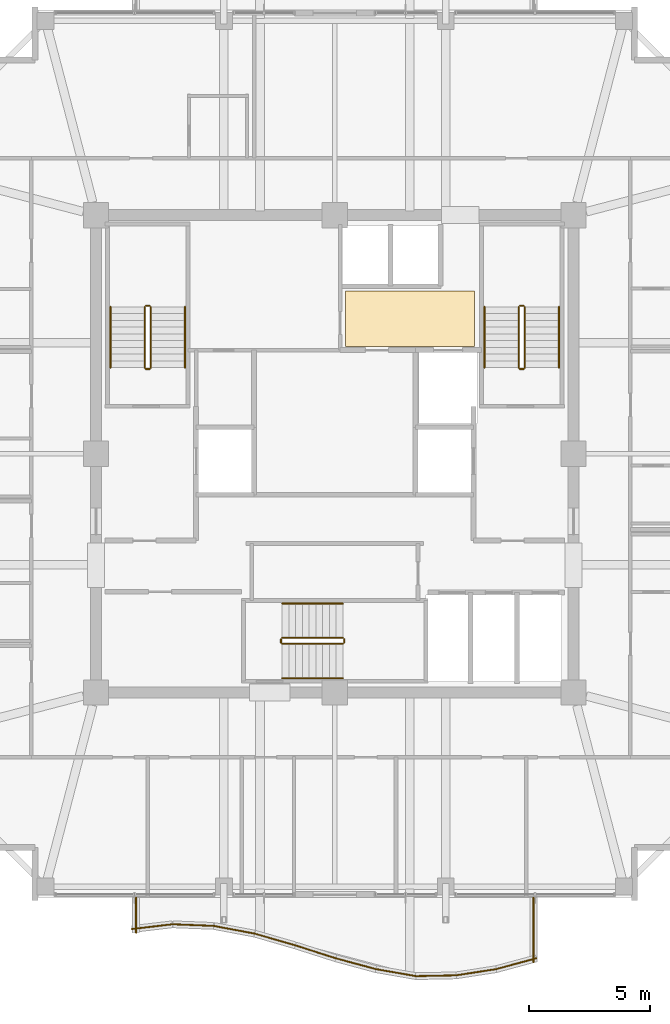
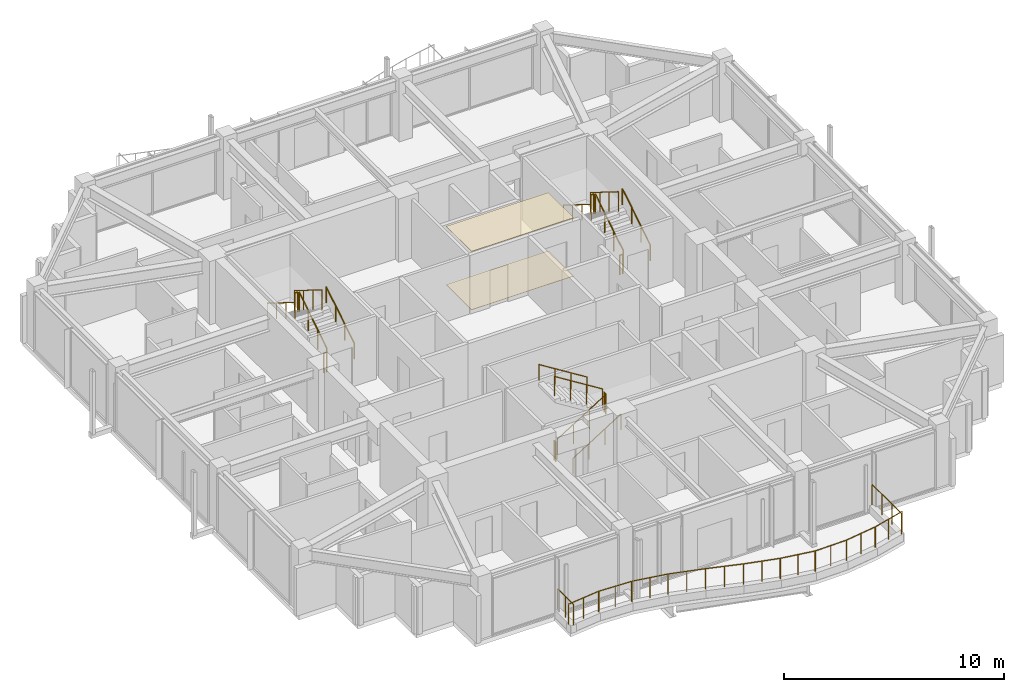
# One storey, part 30 of 31: 30 railings, 2 coverings.
"""IFC4 building model written with IfcOpenShell, lengths in metres."""

from ifc_helpers import new_model, si_unit, direction, frame, origin, origin_2d, place, context, subcontext, project, spatial, polyline, circle, outline, extrude, material, layer, layer_set, type_object, element, save


model = new_model("IFC4")

# Units and contexts
model_context = context("Model", 3, precision=1e-05, world=origin(), true_north=direction((0.0, 1.0)))
body_context = subcontext(model_context, "Body", "Model", "MODEL_VIEW")
ifc_project = project(units=[si_unit("LENGTHUNIT", "METRE"), si_unit("AREAUNIT", "SQUARE_METRE"), si_unit("VOLUMEUNIT", "CUBIC_METRE"), si_unit("PLANEANGLEUNIT", "RADIAN"), si_unit("MASSUNIT", "GRAM", prefix="KILO")], contexts=[model_context])

# Site, building, storey
site_placement = place(None, origin())
site = spatial("IfcSite", under=ifc_project, at=site_placement, CompositionType="ELEMENT")
building_placement = place(site_placement, origin())
building = spatial("IfcBuilding", under=site, at=building_placement, Name="Kolvaren Belvedere", CompositionType="ELEMENT")
storey_placement = place(building_placement, frame((0.0, 0.0, 247.89990234375)))
storey = spatial("IfcBuildingStorey", under=building, at=storey_placement, Name="L72", CompositionType="ELEMENT", Elevation=247.89990234375)

# Coverings
ifc_material_1 = material(Name="Acoustic perforated gypsum board", Category="gypsum")
ifc_layer_1 = layer(ifc_material_1, 0.02490234375)
ifc_layer_set_1 = layer_set([ifc_layer_1], Name="Acoustic perforated gypsum board")
covering_type_1 = type_object("IfcCoveringType", Name="COV-CEIL-GYP", PredefinedType="CEILING", material=ifc_layer_set_1)
covering_1_placement = place(storey_placement, frame((0.0, 0.0, 3.22509765625)))
element("IfcCovering", 1, at=covering_1_placement, inside=storey, type_object=covering_type_1, Name="L72 Lift Lobby Acoustic Baffle Ceiling", PredefinedType="CEILING", context=body_context, shape_type="SweptSolid", body=[
    extrude(outline(polyline([(0.449951171875, 4.449951171875), (5.800048828125, 4.449951171875), (5.800048828125, 6.75), (0.449951171875, 6.75), (0.449951171875, 4.449951171875)])), origin(), (0.0, 0.0, 1.0), 0.02490234375),
])
ifc_material_2 = material(Name="Engineered Pacific white oak", Category="timber")
ifc_layer_2 = layer(ifc_material_2, 0.02001953125)
ifc_layer_set_2 = layer_set([ifc_layer_2], Name="Engineered Pacific white oak")
covering_type_2 = type_object("IfcCoveringType", Name="COV-FLR-OAK", PredefinedType="FLOORING", material=ifc_layer_set_2)
covering_2_placement = place(storey_placement, origin())
element("IfcCovering", 2, at=covering_2_placement, inside=storey, type_object=covering_type_2, Name="L72 Lift Lobby Finish Flooring", PredefinedType="FLOORING", context=body_context, shape_type="SweptSolid", body=[
    extrude(outline(polyline([(0.449951171875, 4.449951171875), (5.800048828125, 4.449951171875), (5.800048828125, 6.75), (0.449951171875, 6.75), (0.449951171875, 4.449951171875)])), origin(), (0.0, 0.0, 1.0), 0.02001953125),
])

# Railings
ifc_material_3 = material(Name="Anodised pale-metal aluminium & laminated glass guard", Category="aluminium")
railing_type_1 = type_object("IfcRailingType", Name="RL-GUARD-1150", PredefinedType="GUARDRAIL", material=ifc_material_3)
railing_1_placement = place(storey_placement, frame((-8.418701171875, -19.70751953125, 0.35009765625)))
element("IfcRailing", 3, at=railing_1_placement, inside=storey, type_object=railing_type_1, Name="L72 Exterior Deck Safety Guard BAL-S-1", PredefinedType="GUARDRAIL", context=body_context, shape_type="SweptSolid", body=[
    extrude(circle(Radius=0.02392578125, at=origin_2d()), frame((0.0, 0.0, 1.1259765625), z_axis=(0.993125952783, 0.11705059551, 0.0), x_axis=(-0.11705059551, 0.993125952783, 0.0)), (0.0, 0.0, 1.0), 1.691650390625),
    extrude(circle(Radius=0.02099609375, at=origin_2d()), origin(), (0.0, 0.0, 1.0), 1.101806640625),
    extrude(circle(Radius=0.02099609375, at=origin_2d()), frame((0.83984375, 0.09912109375, 0.0)), (0.0, 0.0, 1.0), 1.101806640625),
    extrude(circle(Radius=0.02099609375, at=origin_2d()), frame((1.679931640625, 0.197998046875, 0.0)), (0.0, 0.0, 1.0), 1.101806640625),
])
railing_2_placement = place(storey_placement, frame((-6.713623046875, -19.508544921875, 0.35009765625)))
element("IfcRailing", 4, at=railing_2_placement, inside=storey, type_object=railing_type_1, Name="L72 Exterior Deck Safety Guard BAL-S-2", PredefinedType="GUARDRAIL", context=body_context, shape_type="SweptSolid", body=[
    extrude(circle(Radius=0.02392578125, at=origin_2d()), frame((0.0, 0.0, 1.1259765625), z_axis=(0.999196545286, -0.040078222133, 0.0), x_axis=(0.040078222133, 0.999196545286, 0.0)), (0.0, 0.0, 1.0), 1.681396484375),
    extrude(circle(Radius=0.02099609375, at=origin_2d()), origin(), (0.0, 0.0, 1.0), 1.101806640625),
    extrude(circle(Radius=0.02099609375, at=origin_2d()), frame((0.83984375, -0.03369140625, 0.0)), (0.0, 0.0, 1.0), 1.101806640625),
    extrude(circle(Radius=0.02099609375, at=origin_2d()), frame((1.679931640625, -0.0673828125, 0.0)), (0.0, 0.0, 1.0), 1.101806640625),
])
railing_3_placement = place(storey_placement, frame((-5.010498046875, -19.57861328125, 0.35009765625)))
element("IfcRailing", 5, at=railing_3_placement, inside=storey, type_object=railing_type_1, Name="L72 Exterior Deck Safety Guard BAL-S-3", PredefinedType="GUARDRAIL", context=body_context, shape_type="SweptSolid", body=[
    extrude(circle(Radius=0.02392578125, at=origin_2d()), frame((0.0, 0.0, 1.1259765625), z_axis=(0.982804219087, -0.184650661912, 0.0), x_axis=(0.184650661912, 0.982804219087, 0.0)), (0.0, 0.0, 1.0), 1.70947265625),
    extrude(circle(Radius=0.02099609375, at=origin_2d()), origin(), (0.0, 0.0, 1.0), 1.101806640625),
    extrude(circle(Radius=0.02099609375, at=origin_2d()), frame((0.840087890625, -0.15771484375, 0.0)), (0.0, 0.0, 1.0), 1.101806640625),
    extrude(circle(Radius=0.02099609375, at=origin_2d()), frame((1.68017578125, -0.315673828125, 0.0)), (0.0, 0.0, 1.0), 1.101806640625),
])
railing_4_placement = place(storey_placement, frame((-3.3154296875, -19.89794921875, 0.35009765625)))
element("IfcRailing", 6, at=railing_4_placement, inside=storey, type_object=railing_type_1, Name="L72 Exterior Deck Safety Guard BAL-S-4", PredefinedType="GUARDRAIL", context=body_context, shape_type="SweptSolid", body=[
    extrude(circle(Radius=0.02392578125, at=origin_2d()), frame((0.0, 0.0, 1.1259765625), z_axis=(0.960633903819, -0.277817391164, 0.0), x_axis=(0.277817391164, 0.960633903819, 0.0)), (0.0, 0.0, 1.0), 1.748779296875),
    extrude(circle(Radius=0.02099609375, at=origin_2d()), origin(), (0.0, 0.0, 1.0), 1.101806640625),
    extrude(circle(Radius=0.02099609375, at=origin_2d()), frame((0.83984375, -0.242919921875, 0.0)), (0.0, 0.0, 1.0), 1.101806640625),
    extrude(circle(Radius=0.02099609375, at=origin_2d()), frame((1.679931640625, -0.48583984375, 0.0)), (0.0, 0.0, 1.0), 1.101806640625),
])
railing_5_placement = place(storey_placement, frame((-1.63134765625, -20.38525390625, 0.35009765625)))
element("IfcRailing", 7, at=railing_5_placement, inside=storey, type_object=railing_type_1, Name="L72 Exterior Deck Safety Guard BAL-S-5", PredefinedType="GUARDRAIL", context=body_context, shape_type="SweptSolid", body=[
    extrude(circle(Radius=0.02392578125, at=origin_2d()), frame((0.0, 0.0, 1.1259765625), z_axis=(0.952661770826, -0.304032153573, 0.0), x_axis=(0.304032153573, 0.952661770826, 0.0)), (0.0, 0.0, 1.0), 1.763427734375),
    extrude(circle(Radius=0.02099609375, at=origin_2d()), origin(), (0.0, 0.0, 1.0), 1.101806640625),
    extrude(circle(Radius=0.02099609375, at=origin_2d()), frame((0.83984375, -0.26806640625, 0.0)), (0.0, 0.0, 1.0), 1.101806640625),
    extrude(circle(Radius=0.02099609375, at=origin_2d()), frame((1.679931640625, -0.5361328125, 0.0)), (0.0, 0.0, 1.0), 1.101806640625),
])
railing_6_placement = place(storey_placement, frame((0.041748046875, -20.919189453125, 0.35009765625)))
element("IfcRailing", 8, at=railing_6_placement, inside=storey, type_object=railing_type_1, Name="L72 Exterior Deck Safety Guard BAL-S-6", PredefinedType="GUARDRAIL", context=body_context, shape_type="SweptSolid", body=[
    extrude(circle(Radius=0.02392578125, at=origin_2d()), frame((0.0, 0.0, 1.1259765625), z_axis=(0.965424492388, -0.260682852326, 0.0), x_axis=(0.260682852326, 0.965424492388, 0.0)), (0.0, 0.0, 1.0), 1.739990234375),
    extrude(circle(Radius=0.02099609375, at=origin_2d()), origin(), (0.0, 0.0, 1.0), 1.101806640625),
    extrude(circle(Radius=0.02099609375, at=origin_2d()), frame((0.83984375, -0.226806640625, 0.0)), (0.0, 0.0, 1.0), 1.101806640625),
    extrude(circle(Radius=0.02099609375, at=origin_2d()), frame((1.679931640625, -0.45361328125, 0.0)), (0.0, 0.0, 1.0), 1.101806640625),
])
railing_7_placement = place(storey_placement, frame((1.70751953125, -21.36962890625, 0.35009765625)))
element("IfcRailing", 9, at=railing_7_placement, inside=storey, type_object=railing_type_1, Name="L72 Exterior Deck Safety Guard BAL-S-7", PredefinedType="GUARDRAIL", context=body_context, shape_type="SweptSolid", body=[
    extrude(circle(Radius=0.02392578125, at=origin_2d()), frame((0.0, 0.0, 1.1259765625), z_axis=(0.985156010777, -0.171661394699, 0.0), x_axis=(0.171661394699, 0.985156010777, 0.0)), (0.0, 0.0, 1.0), 1.705322265625),
    extrude(circle(Radius=0.02099609375, at=origin_2d()), origin(), (0.0, 0.0, 1.0), 1.101806640625),
    extrude(circle(Radius=0.02099609375, at=origin_2d()), frame((0.83984375, -0.146484375, 0.0)), (0.0, 0.0, 1.0), 1.101806640625),
    extrude(circle(Radius=0.02099609375, at=origin_2d()), frame((1.679931640625, -0.292724609375, 0.0)), (0.0, 0.0, 1.0), 1.101806640625),
])
railing_8_placement = place(storey_placement, frame((3.356689453125, -21.659912109375, 0.35009765625)))
element("IfcRailing", 10, at=railing_8_placement, inside=storey, type_object=railing_type_1, Name="L72 Exterior Deck Safety Guard BAL-S-8", PredefinedType="GUARDRAIL", context=body_context, shape_type="SweptSolid", body=[
    extrude(circle(Radius=0.02392578125, at=origin_2d()), frame((0.0, 0.0, 1.1259765625), z_axis=(0.999799013034, 0.020048280122, 0.0), x_axis=(-0.020048280122, 0.999799013034, 0.0)), (0.0, 0.0, 1.0), 1.680419921875),
    extrude(circle(Radius=0.02099609375, at=origin_2d()), origin(), (0.0, 0.0, 1.0), 1.101806640625),
    extrude(circle(Radius=0.02099609375, at=origin_2d()), frame((0.840087890625, 0.016845703125, 0.0)), (0.0, 0.0, 1.0), 1.101806640625),
    extrude(circle(Radius=0.02099609375, at=origin_2d()), frame((1.68017578125, 0.03369140625, 0.0)), (0.0, 0.0, 1.0), 1.101806640625),
])
railing_9_placement = place(storey_placement, frame((5.015625, -21.6279296875, 0.35009765625)))
element("IfcRailing", 11, at=railing_9_placement, inside=storey, type_object=railing_type_1, Name="L72 Exterior Deck Safety Guard BAL-S-9", PredefinedType="GUARDRAIL", context=body_context, shape_type="SweptSolid", body=[
    extrude(circle(Radius=0.02392578125, at=origin_2d()), frame((0.0, 0.0, 1.1259765625), z_axis=(0.988341789514, 0.152251460091, 0.0), x_axis=(-0.152251460091, 0.988341789514, 0.0)), (0.0, 0.0, 1.0), 1.69970703125),
    extrude(circle(Radius=0.02099609375, at=origin_2d()), origin(), (0.0, 0.0, 1.0), 1.101806640625),
    extrude(circle(Radius=0.02099609375, at=origin_2d()), frame((0.83984375, 0.12939453125, 0.0)), (0.0, 0.0, 1.0), 1.101806640625),
    extrude(circle(Radius=0.02099609375, at=origin_2d()), frame((1.679931640625, 0.2587890625, 0.0)), (0.0, 0.0, 1.0), 1.101806640625),
])
railing_10_placement = place(storey_placement, frame((6.67822265625, -21.372802734375, 0.35009765625)))
element("IfcRailing", 12, at=railing_10_placement, inside=storey, type_object=railing_type_1, Name="L72 Exterior Deck Safety Guard BAL-S-10", PredefinedType="GUARDRAIL", context=body_context, shape_type="SweptSolid", body=[
    extrude(circle(Radius=0.02392578125, at=origin_2d()), frame((0.0, 0.0, 1.1259765625), z_axis=(0.965434024814, 0.260647546949, 0.0), x_axis=(-0.260647546949, 0.965434024814, 0.0)), (0.0, 0.0, 1.0), 1.740234375),
    extrude(circle(Radius=0.02099609375, at=origin_2d()), origin(), (0.0, 0.0, 1.0), 1.101806640625),
    extrude(circle(Radius=0.02099609375, at=origin_2d()), frame((0.840087890625, 0.226806640625, 0.0)), (0.0, 0.0, 1.0), 1.101806640625),
    extrude(circle(Radius=0.02099609375, at=origin_2d()), frame((1.68017578125, 0.45361328125, 0.0)), (0.0, 0.0, 1.0), 1.101806640625),
])
railing_11_placement = place(storey_placement, frame((8.239990234375, -21.07373046875, 0.35009765625)))
element("IfcRailing", 13, at=railing_11_placement, inside=storey, type_object=railing_type_1, Name="L72 Exterior Deck Safety Guard BAL-S-11", PredefinedType="GUARDRAIL", context=body_context, shape_type="SweptSolid", body=[
    extrude(circle(Radius=0.02392578125, at=origin_2d()), frame((0.0, 0.0, 1.1259765625), z_axis=(0.0, 1.0, 0.0), x_axis=(-1.0, 0.0, 0.0)), (0.0, 0.0, 1.0), 2.673828125),
    extrude(circle(Radius=0.02099609375, at=origin_2d()), origin(), (0.0, 0.0, 1.0), 1.101806640625),
    extrude(circle(Radius=0.02099609375, at=origin_2d()), frame((0.0, 0.891357421875, 0.0)), (0.0, 0.0, 1.0), 1.101806640625),
    extrude(circle(Radius=0.02099609375, at=origin_2d()), frame((0.0, 1.782470703125, 0.0)), (0.0, 0.0, 1.0), 1.101806640625),
    extrude(circle(Radius=0.02099609375, at=origin_2d()), frame((0.0, 2.673828125, 0.0)), (0.0, 0.0, 1.0), 1.101806640625),
])
railing_12_placement = place(storey_placement, frame((-8.239990234375, -18.39990234375, 0.35009765625)))
element("IfcRailing", 14, at=railing_12_placement, inside=storey, type_object=railing_type_1, Name="L72 Exterior Deck Safety Guard BAL-S-22", PredefinedType="GUARDRAIL", context=body_context, shape_type="SweptSolid", body=[
    extrude(circle(Radius=0.02392578125, at=origin_2d()), frame((0.0, 0.0, 1.1259765625), z_axis=(0.0, -1.0, 0.0), x_axis=(1.0, 0.0, 0.0)), (0.0, 0.0, 1.0), 1.46630859375),
    extrude(circle(Radius=0.02099609375, at=origin_2d()), origin(), (0.0, 0.0, 1.0), 1.101806640625),
    extrude(circle(Radius=0.02099609375, at=origin_2d()), frame((0.0, -0.733154296875, 0.0)), (0.0, 0.0, 1.0), 1.101806640625),
    extrude(circle(Radius=0.02099609375, at=origin_2d()), frame((0.0, -1.46630859375, 0.0)), (0.0, 0.0, 1.0), 1.101806640625),
])
ifc_material_4 = material(Name="Brushed stainless-steel handrail", Category="steel")
railing_type_2 = type_object("IfcRailingType", Name="RL-HANDRAIL-920", PredefinedType="HANDRAIL", material=ifc_material_4)
railing_13_placement = place(storey_placement, frame((-6.2099609375, 3.570068359375, 0.175048828125)))
element("IfcRailing", 15, at=railing_13_placement, inside=storey, type_object=railing_type_2, Name="L72 ST-1 stair handrail 1", PredefinedType="HANDRAIL", context=body_context, shape_type="SweptSolid", body=[
    extrude(circle(Radius=0.02392578125, at=origin_2d()), frame((0.0, 0.0, 0.8759765625), z_axis=(0.0, 0.848007534815, 0.529984170421), x_axis=(-1.0, 0.0, 0.0)), (0.0, 0.0, 1.0), 2.9716796875),
    extrude(circle(Radius=0.02099609375, at=origin_2d()), origin(), (0.0, 0.0, 1.0), 0.851806640625),
    extrude(circle(Radius=0.02099609375, at=origin_2d()), frame((0.0, 0.840087890625, 0.52490234375)), (0.0, 0.0, 1.0), 0.851806640625),
    extrude(circle(Radius=0.02099609375, at=origin_2d()), frame((0.0, 1.679931640625, 1.050048828125)), (0.0, 0.0, 1.0), 0.851806640625),
    extrude(circle(Radius=0.02099609375, at=origin_2d()), frame((0.0, 2.52001953125, 1.574951171875)), (0.0, 0.0, 1.0), 0.851806640625),
])
railing_14_placement = place(storey_placement, frame((-9.300048828125, 6.090087890625, 1.925048828125)))
element("IfcRailing", 16, at=railing_14_placement, inside=storey, type_object=railing_type_2, Name="L72 ST-1 stair handrail 2", PredefinedType="HANDRAIL", context=body_context, shape_type="SweptSolid", body=[
    extrude(circle(Radius=0.02392578125, at=origin_2d()), frame((0.0, 0.0, 0.8759765625), z_axis=(0.0, -0.848007534815, 0.529984170421), x_axis=(1.0, 0.0, 0.0)), (0.0, 0.0, 1.0), 2.9716796875),
    extrude(circle(Radius=0.02099609375, at=origin_2d()), origin(), (0.0, 0.0, 1.0), 0.851806640625),
    extrude(circle(Radius=0.02099609375, at=origin_2d()), frame((0.0, -0.840087890625, 0.52490234375)), (0.0, 0.0, 1.0), 0.851806640625),
    extrude(circle(Radius=0.02099609375, at=origin_2d()), frame((0.0, -1.679931640625, 1.050048828125)), (0.0, 0.0, 1.0), 0.851806640625),
    extrude(circle(Radius=0.02099609375, at=origin_2d()), frame((0.0, -2.52001953125, 1.574951171875)), (0.0, 0.0, 1.0), 0.851806640625),
])
railing_15_placement = place(storey_placement, frame((9.300048828125, 3.570068359375, 0.175048828125)))
element("IfcRailing", 17, at=railing_15_placement, inside=storey, type_object=railing_type_2, Name="L72 ST-2 stair handrail 1", PredefinedType="HANDRAIL", context=body_context, shape_type="SweptSolid", body=[
    extrude(circle(Radius=0.02392578125, at=origin_2d()), frame((0.0, 0.0, 0.8759765625), z_axis=(0.0, 0.848007534815, 0.529984170421), x_axis=(-1.0, 0.0, 0.0)), (0.0, 0.0, 1.0), 2.9716796875),
    extrude(circle(Radius=0.02099609375, at=origin_2d()), origin(), (0.0, 0.0, 1.0), 0.851806640625),
    extrude(circle(Radius=0.02099609375, at=origin_2d()), frame((0.0, 0.840087890625, 0.52490234375)), (0.0, 0.0, 1.0), 0.851806640625),
    extrude(circle(Radius=0.02099609375, at=origin_2d()), frame((0.0, 1.679931640625, 1.050048828125)), (0.0, 0.0, 1.0), 0.851806640625),
    extrude(circle(Radius=0.02099609375, at=origin_2d()), frame((0.0, 2.52001953125, 1.574951171875)), (0.0, 0.0, 1.0), 0.851806640625),
])
railing_16_placement = place(storey_placement, frame((6.2099609375, 6.090087890625, 1.925048828125)))
element("IfcRailing", 18, at=railing_16_placement, inside=storey, type_object=railing_type_2, Name="L72 ST-2 stair handrail 2", PredefinedType="HANDRAIL", context=body_context, shape_type="SweptSolid", body=[
    extrude(circle(Radius=0.02392578125, at=origin_2d()), frame((0.0, 0.0, 0.8759765625), z_axis=(0.0, -0.848007534815, 0.529984170421), x_axis=(1.0, 0.0, 0.0)), (0.0, 0.0, 1.0), 2.9716796875),
    extrude(circle(Radius=0.02099609375, at=origin_2d()), origin(), (0.0, 0.0, 1.0), 0.851806640625),
    extrude(circle(Radius=0.02099609375, at=origin_2d()), frame((0.0, -0.840087890625, 0.52490234375)), (0.0, 0.0, 1.0), 0.851806640625),
    extrude(circle(Radius=0.02099609375, at=origin_2d()), frame((0.0, -1.679931640625, 1.050048828125)), (0.0, 0.0, 1.0), 0.851806640625),
    extrude(circle(Radius=0.02099609375, at=origin_2d()), frame((0.0, -2.52001953125, 1.574951171875)), (0.0, 0.0, 1.0), 0.851806640625),
])
railing_17_placement = place(storey_placement, frame((-2.179931640625, -9.300048828125, 0.175048828125)))
element("IfcRailing", 19, at=railing_17_placement, inside=storey, type_object=railing_type_2, Name="L72 ST-3 stair handrail 1", PredefinedType="HANDRAIL", context=body_context, shape_type="SweptSolid", body=[
    extrude(circle(Radius=0.02392578125, at=origin_2d()), frame((0.0, 0.0, 0.8759765625), z_axis=(0.848007534815, 0.0, 0.529984170421), x_axis=(0.0, 1.0, 0.0)), (0.0, 0.0, 1.0), 2.9716796875),
    extrude(circle(Radius=0.02099609375, at=origin_2d()), origin(), (0.0, 0.0, 1.0), 0.851806640625),
    extrude(circle(Radius=0.02099609375, at=origin_2d()), frame((0.840087890625, 0.0, 0.52490234375)), (0.0, 0.0, 1.0), 0.851806640625),
    extrude(circle(Radius=0.02099609375, at=origin_2d()), frame((1.679931640625, 0.0, 1.050048828125)), (0.0, 0.0, 1.0), 0.851806640625),
    extrude(circle(Radius=0.02099609375, at=origin_2d()), frame((2.52001953125, 0.0, 1.574951171875)), (0.0, 0.0, 1.0), 0.851806640625),
])
railing_18_placement = place(storey_placement, frame((0.340087890625, -6.2099609375, 1.925048828125)))
element("IfcRailing", 20, at=railing_18_placement, inside=storey, type_object=railing_type_2, Name="L72 ST-3 stair handrail 2", PredefinedType="HANDRAIL", context=body_context, shape_type="SweptSolid", body=[
    extrude(circle(Radius=0.02392578125, at=origin_2d()), frame((0.0, 0.0, 0.8759765625), z_axis=(-0.848007534815, 0.0, 0.529984170421), x_axis=(0.0, -1.0, 0.0)), (0.0, 0.0, 1.0), 2.9716796875),
    extrude(circle(Radius=0.02099609375, at=origin_2d()), origin(), (0.0, 0.0, 1.0), 0.851806640625),
    extrude(circle(Radius=0.02099609375, at=origin_2d()), frame((-0.840087890625, 0.0, 0.52490234375)), (0.0, 0.0, 1.0), 0.851806640625),
    extrude(circle(Radius=0.02099609375, at=origin_2d()), frame((-1.679931640625, 0.0, 1.050048828125)), (0.0, 0.0, 1.0), 0.851806640625),
    extrude(circle(Radius=0.02099609375, at=origin_2d()), frame((-2.52001953125, 0.0, 1.574951171875)), (0.0, 0.0, 1.0), 0.851806640625),
])
ifc_material_5 = material(Name="Painted tubular steel stair guard", Category="steel")
railing_type_3 = type_object("IfcRailingType", Name="RL-STGUARD-1100", PredefinedType="GUARDRAIL", material=ifc_material_5)
railing_19_placement = place(storey_placement, frame((-7.6298828125, 3.570068359375, 0.175048828125)))
element("IfcRailing", 21, at=railing_19_placement, inside=storey, type_object=railing_type_3, Name="L72 ST-1 stair guard 1", PredefinedType="GUARDRAIL", context=body_context, shape_type="SweptSolid", body=[
    extrude(circle(Radius=0.02392578125, at=origin_2d()), frame((0.0, 0.0, 1.076171875), z_axis=(0.0, 0.848007534815, 0.529984170421), x_axis=(-1.0, 0.0, 0.0)), (0.0, 0.0, 1.0), 2.9716796875),
    extrude(circle(Radius=0.02099609375, at=origin_2d()), origin(), (0.0, 0.0, 1.0), 1.052001953125),
    extrude(circle(Radius=0.02099609375, at=origin_2d()), frame((0.0, 0.840087890625, 0.52490234375)), (0.0, 0.0, 1.0), 1.052001953125),
    extrude(circle(Radius=0.02099609375, at=origin_2d()), frame((0.0, 1.679931640625, 1.050048828125)), (0.0, 0.0, 1.0), 1.052001953125),
    extrude(circle(Radius=0.02099609375, at=origin_2d()), frame((0.0, 2.52001953125, 1.574951171875)), (0.0, 0.0, 1.0), 1.052001953125),
])
railing_20_placement = place(storey_placement, frame((-7.679931640625, 6.139892578125, 1.75)))
element("IfcRailing", 22, at=railing_20_placement, inside=storey, type_object=railing_type_3, Name="L72 ST-1 stair guard 2", PredefinedType="GUARDRAIL", context=body_context, shape_type="SweptSolid", body=[
    extrude(circle(Radius=0.02392578125, at=origin_2d()), frame((0.0, 0.0, 1.076171875), z_axis=(-1.0, 0.0, 0.0), x_axis=(0.0, -1.0, 0.0)), (0.0, 0.0, 1.0), 0.150146484375),
    extrude(circle(Radius=0.02099609375, at=origin_2d()), origin(), (0.0, 0.0, 1.0), 1.052001953125),
    extrude(circle(Radius=0.02099609375, at=origin_2d()), frame((-0.150146484375, 0.0, 0.0)), (0.0, 0.0, 1.0), 1.052001953125),
])
railing_21_placement = place(storey_placement, frame((-7.8798828125, 6.090087890625, 1.925048828125)))
element("IfcRailing", 23, at=railing_21_placement, inside=storey, type_object=railing_type_3, Name="L72 ST-1 stair guard 3", PredefinedType="GUARDRAIL", context=body_context, shape_type="SweptSolid", body=[
    extrude(circle(Radius=0.02392578125, at=origin_2d()), frame((0.0, 0.0, 1.076171875), z_axis=(0.0, -0.848007534815, 0.529984170421), x_axis=(1.0, 0.0, 0.0)), (0.0, 0.0, 1.0), 2.9716796875),
    extrude(circle(Radius=0.02099609375, at=origin_2d()), origin(), (0.0, 0.0, 1.0), 1.052001953125),
    extrude(circle(Radius=0.02099609375, at=origin_2d()), frame((0.0, -0.840087890625, 0.52490234375)), (0.0, 0.0, 1.0), 1.052001953125),
    extrude(circle(Radius=0.02099609375, at=origin_2d()), frame((0.0, -1.679931640625, 1.050048828125)), (0.0, 0.0, 1.0), 1.052001953125),
    extrude(circle(Radius=0.02099609375, at=origin_2d()), frame((0.0, -2.52001953125, 1.574951171875)), (0.0, 0.0, 1.0), 1.052001953125),
])
railing_22_placement = place(storey_placement, frame((-7.679931640625, 3.52001953125, 0.0)))
element("IfcRailing", 24, at=railing_22_placement, inside=storey, type_object=railing_type_3, Name="L72 ST-1 stair guard 4", PredefinedType="GUARDRAIL", context=body_context, shape_type="SweptSolid", body=[
    extrude(circle(Radius=0.02392578125, at=origin_2d()), frame((0.0, 0.0, 1.076171875), z_axis=(-1.0, 0.0, 0.0), x_axis=(0.0, -1.0, 0.0)), (0.0, 0.0, 1.0), 0.150146484375),
    extrude(circle(Radius=0.02099609375, at=origin_2d()), origin(), (0.0, 0.0, 1.0), 1.052001953125),
    extrude(circle(Radius=0.02099609375, at=origin_2d()), frame((-0.150146484375, 0.0, 0.0)), (0.0, 0.0, 1.0), 1.052001953125),
])
railing_23_placement = place(storey_placement, frame((7.8798828125, 3.570068359375, 0.175048828125)))
element("IfcRailing", 25, at=railing_23_placement, inside=storey, type_object=railing_type_3, Name="L72 ST-2 stair guard 1", PredefinedType="GUARDRAIL", context=body_context, shape_type="SweptSolid", body=[
    extrude(circle(Radius=0.02392578125, at=origin_2d()), frame((0.0, 0.0, 1.076171875), z_axis=(0.0, 0.848007534815, 0.529984170421), x_axis=(-1.0, 0.0, 0.0)), (0.0, 0.0, 1.0), 2.9716796875),
    extrude(circle(Radius=0.02099609375, at=origin_2d()), origin(), (0.0, 0.0, 1.0), 1.052001953125),
    extrude(circle(Radius=0.02099609375, at=origin_2d()), frame((0.0, 0.840087890625, 0.52490234375)), (0.0, 0.0, 1.0), 1.052001953125),
    extrude(circle(Radius=0.02099609375, at=origin_2d()), frame((0.0, 1.679931640625, 1.050048828125)), (0.0, 0.0, 1.0), 1.052001953125),
    extrude(circle(Radius=0.02099609375, at=origin_2d()), frame((0.0, 2.52001953125, 1.574951171875)), (0.0, 0.0, 1.0), 1.052001953125),
])
railing_24_placement = place(storey_placement, frame((7.830078125, 6.139892578125, 1.75)))
element("IfcRailing", 26, at=railing_24_placement, inside=storey, type_object=railing_type_3, Name="L72 ST-2 stair guard 2", PredefinedType="GUARDRAIL", context=body_context, shape_type="SweptSolid", body=[
    extrude(circle(Radius=0.02392578125, at=origin_2d()), frame((0.0, 0.0, 1.076171875), z_axis=(-1.0, 0.0, 0.0), x_axis=(0.0, -1.0, 0.0)), (0.0, 0.0, 1.0), 0.150146484375),
    extrude(circle(Radius=0.02099609375, at=origin_2d()), origin(), (0.0, 0.0, 1.0), 1.052001953125),
    extrude(circle(Radius=0.02099609375, at=origin_2d()), frame((-0.150146484375, 0.0, 0.0)), (0.0, 0.0, 1.0), 1.052001953125),
])
railing_25_placement = place(storey_placement, frame((7.6298828125, 6.090087890625, 1.925048828125)))
element("IfcRailing", 27, at=railing_25_placement, inside=storey, type_object=railing_type_3, Name="L72 ST-2 stair guard 3", PredefinedType="GUARDRAIL", context=body_context, shape_type="SweptSolid", body=[
    extrude(circle(Radius=0.02392578125, at=origin_2d()), frame((0.0, 0.0, 1.076171875), z_axis=(0.0, -0.848007534815, 0.529984170421), x_axis=(1.0, 0.0, 0.0)), (0.0, 0.0, 1.0), 2.9716796875),
    extrude(circle(Radius=0.02099609375, at=origin_2d()), origin(), (0.0, 0.0, 1.0), 1.052001953125),
    extrude(circle(Radius=0.02099609375, at=origin_2d()), frame((0.0, -0.840087890625, 0.52490234375)), (0.0, 0.0, 1.0), 1.052001953125),
    extrude(circle(Radius=0.02099609375, at=origin_2d()), frame((0.0, -1.679931640625, 1.050048828125)), (0.0, 0.0, 1.0), 1.052001953125),
    extrude(circle(Radius=0.02099609375, at=origin_2d()), frame((0.0, -2.52001953125, 1.574951171875)), (0.0, 0.0, 1.0), 1.052001953125),
])
railing_26_placement = place(storey_placement, frame((7.830078125, 3.52001953125, 0.0)))
element("IfcRailing", 28, at=railing_26_placement, inside=storey, type_object=railing_type_3, Name="L72 ST-2 stair guard 4", PredefinedType="GUARDRAIL", context=body_context, shape_type="SweptSolid", body=[
    extrude(circle(Radius=0.02392578125, at=origin_2d()), frame((0.0, 0.0, 1.076171875), z_axis=(-1.0, 0.0, 0.0), x_axis=(0.0, -1.0, 0.0)), (0.0, 0.0, 1.0), 0.150146484375),
    extrude(circle(Radius=0.02099609375, at=origin_2d()), origin(), (0.0, 0.0, 1.0), 1.052001953125),
    extrude(circle(Radius=0.02099609375, at=origin_2d()), frame((-0.150146484375, 0.0, 0.0)), (0.0, 0.0, 1.0), 1.052001953125),
])
railing_27_placement = place(storey_placement, frame((-2.179931640625, -7.8798828125, 0.175048828125)))
element("IfcRailing", 29, at=railing_27_placement, inside=storey, type_object=railing_type_3, Name="L72 ST-3 stair guard 1", PredefinedType="GUARDRAIL", context=body_context, shape_type="SweptSolid", body=[
    extrude(circle(Radius=0.02392578125, at=origin_2d()), frame((0.0, 0.0, 1.076171875), z_axis=(0.848007534815, 0.0, 0.529984170421), x_axis=(0.0, 1.0, 0.0)), (0.0, 0.0, 1.0), 2.9716796875),
    extrude(circle(Radius=0.02099609375, at=origin_2d()), origin(), (0.0, 0.0, 1.0), 1.052001953125),
    extrude(circle(Radius=0.02099609375, at=origin_2d()), frame((0.840087890625, 0.0, 0.52490234375)), (0.0, 0.0, 1.0), 1.052001953125),
    extrude(circle(Radius=0.02099609375, at=origin_2d()), frame((1.679931640625, 0.0, 1.050048828125)), (0.0, 0.0, 1.0), 1.052001953125),
    extrude(circle(Radius=0.02099609375, at=origin_2d()), frame((2.52001953125, 0.0, 1.574951171875)), (0.0, 0.0, 1.0), 1.052001953125),
])
railing_28_placement = place(storey_placement, frame((0.389892578125, -7.830078125, 1.75)))
element("IfcRailing", 30, at=railing_28_placement, inside=storey, type_object=railing_type_3, Name="L72 ST-3 stair guard 2", PredefinedType="GUARDRAIL", context=body_context, shape_type="SweptSolid", body=[
    extrude(circle(Radius=0.02392578125, at=origin_2d()), frame((0.0, 0.0, 1.076171875), z_axis=(0.0, 1.0, 0.0), x_axis=(-1.0, 0.0, 0.0)), (0.0, 0.0, 1.0), 0.150146484375),
    extrude(circle(Radius=0.02099609375, at=origin_2d()), origin(), (0.0, 0.0, 1.0), 1.052001953125),
    extrude(circle(Radius=0.02099609375, at=origin_2d()), frame((0.0, 0.150146484375, 0.0)), (0.0, 0.0, 1.0), 1.052001953125),
])
railing_29_placement = place(storey_placement, frame((0.340087890625, -7.6298828125, 1.925048828125)))
element("IfcRailing", 31, at=railing_29_placement, inside=storey, type_object=railing_type_3, Name="L72 ST-3 stair guard 3", PredefinedType="GUARDRAIL", context=body_context, shape_type="SweptSolid", body=[
    extrude(circle(Radius=0.02392578125, at=origin_2d()), frame((0.0, 0.0, 1.076171875), z_axis=(-0.848007534815, 0.0, 0.529984170421), x_axis=(0.0, -1.0, 0.0)), (0.0, 0.0, 1.0), 2.9716796875),
    extrude(circle(Radius=0.02099609375, at=origin_2d()), origin(), (0.0, 0.0, 1.0), 1.052001953125),
    extrude(circle(Radius=0.02099609375, at=origin_2d()), frame((-0.840087890625, 0.0, 0.52490234375)), (0.0, 0.0, 1.0), 1.052001953125),
    extrude(circle(Radius=0.02099609375, at=origin_2d()), frame((-1.679931640625, 0.0, 1.050048828125)), (0.0, 0.0, 1.0), 1.052001953125),
    extrude(circle(Radius=0.02099609375, at=origin_2d()), frame((-2.52001953125, 0.0, 1.574951171875)), (0.0, 0.0, 1.0), 1.052001953125),
])
railing_30_placement = place(storey_placement, frame((-2.22998046875, -7.830078125, 0.0)))
element("IfcRailing", 32, at=railing_30_placement, inside=storey, type_object=railing_type_3, Name="L72 ST-3 stair guard 4", PredefinedType="GUARDRAIL", context=body_context, shape_type="SweptSolid", body=[
    extrude(circle(Radius=0.02392578125, at=origin_2d()), frame((0.0, 0.0, 1.076171875), z_axis=(0.0, 1.0, 0.0), x_axis=(-1.0, 0.0, 0.0)), (0.0, 0.0, 1.0), 0.150146484375),
    extrude(circle(Radius=0.02099609375, at=origin_2d()), origin(), (0.0, 0.0, 1.0), 1.052001953125),
    extrude(circle(Radius=0.02099609375, at=origin_2d()), frame((0.0, 0.150146484375, 0.0)), (0.0, 0.0, 1.0), 1.052001953125),
])

save(model, "model.ifc")
